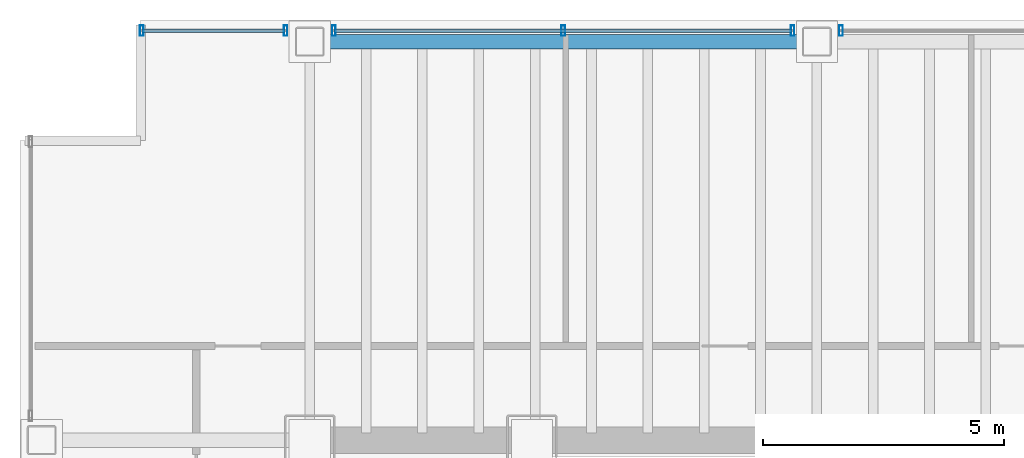
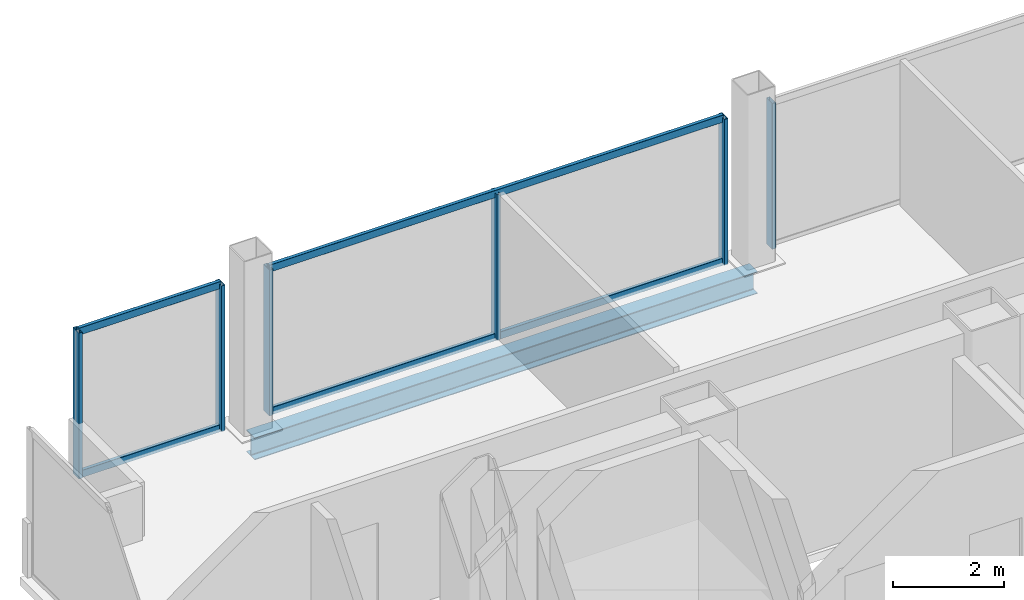
# One storey, part 13 of 20: 10 members, 1 beam, 3 elements without a shape of their own.
"""IFC4 building model written with IfcOpenShell, lengths in metres."""

import ifcopenshell
import ifcopenshell.guid

model = None  # the IFC model being written
_history = None  # IfcOwnerHistory: only IFC2X3 demands one
_inside = {}  # id of a spatial element -> (the spatial element, [elements in it])
_under = {}  # id of a project, library or spatial element -> (it, [spatial elements below it])
_declared = {}  # id of a project -> (the project, [libraries it declares])
_typed = {}  # id of a type object -> (the type object, [elements of that type])
_made_of = {}  # id of a material, layer set ... -> (it, [elements and type objects made of it])


def new_model(schema):
    """Start an empty IFC model of exactly this schema.

    Asked for "IFC4X3", IfcOpenShell would pick the latest addendum, in which some entities
    have other attributes; the version numbers below select the first issue.
    IFC2X3 requires an IfcOwnerHistory on every rooted entity: one is made here for all.
    """
    global model, _history
    if schema == "IFC4X3":
        model = ifcopenshell.file(schema_version=(4, 3, 0, 0))
    else:
        model = ifcopenshell.file(schema=schema)
    _inside.clear()
    _under.clear()
    _declared.clear()
    _typed.clear()
    _made_of.clear()
    _history = None
    if model.schema == "IFC2X3":
        org = make("IfcOrganization", Name="unknown")
        user = make(
            "IfcPersonAndOrganization",
            ThePerson=make("IfcPerson", FamilyName="unknown"),
            TheOrganization=org,
        )
        app = make(
            "IfcApplication",
            ApplicationDeveloper=org,
            Version="unknown",
            ApplicationFullName="unknown",
            ApplicationIdentifier="unknown",
        )
        _history = make(
            "IfcOwnerHistory",
            OwningUser=user,
            OwningApplication=app,
            ChangeAction="ADDED",
            CreationDate=0,
        )
    return model


def make(cls, **values):
    """One entity of the class cls with the attributes given. An attribute that is None is left unset."""
    return model.create_entity(
        cls, **{name: value for name, value in values.items() if value is not None}
    )


def rooted(cls, **values):
    """An entity with a GlobalId (a new one), such as an element, a storey or a relation."""
    return make(cls, GlobalId=ifcopenshell.guid.new(), OwnerHistory=_history, **values)


def si_unit(unit_type, name, prefix=None):
    """IfcSIUnit, for example si_unit("LENGTHUNIT", "METRE", prefix="MILLI")."""
    return make("IfcSIUnit", UnitType=unit_type, Prefix=prefix, Name=name)


def assignment(units):
    """IfcUnitAssignment: the units of a project."""
    return None if units is None else make("IfcUnitAssignment", Units=units)


def point(xyz):
    """IfcCartesianPoint."""
    return None if xyz is None else make("IfcCartesianPoint", Coordinates=xyz)


def direction(xyz):
    """IfcDirection."""
    return None if xyz is None else make("IfcDirection", DirectionRatios=xyz)


def frame(location, z_axis=None, x_axis=None):
    """IfcAxis2Placement3D, a coordinate frame: its origin and axes. An axis left out is left unset."""
    return make(
        "IfcAxis2Placement3D",
        Location=point(location),
        Axis=direction(z_axis),
        RefDirection=direction(x_axis),
    )


def frame_2d(location, x_axis=None):
    """IfcAxis2Placement2D, a coordinate frame in the plane: its origin and x axis."""
    return make(
        "IfcAxis2Placement2D", Location=point(location), RefDirection=direction(x_axis)
    )


def origin():
    """The frame at (0, 0, 0) with its axes left unset."""
    return frame((0.0, 0.0, 0.0))


def origin_2d():
    """The frame at (0, 0) in the plane with its x axis left unset."""
    return frame_2d((0.0, 0.0))


def place(relative_to, where):
    """IfcLocalPlacement: puts the frame where relative to a parent placement (None: the world)."""
    return make(
        "IfcLocalPlacement", PlacementRelTo=relative_to, RelativePlacement=where
    )


def context(
    kind, dimensions, precision=None, world=None, true_north=None, identifier=None
):
    """IfcGeometricRepresentationContext, for example the 3D "Model" context."""
    return make(
        "IfcGeometricRepresentationContext",
        ContextIdentifier=identifier,
        ContextType=kind,
        CoordinateSpaceDimension=dimensions,
        Precision=precision,
        WorldCoordinateSystem=world,
        TrueNorth=true_north,
    )


def subcontext(parent, identifier, kind, view, scale=None):
    """IfcGeometricRepresentationSubContext, for example "Body" below "Model"."""
    return make(
        "IfcGeometricRepresentationSubContext",
        ContextIdentifier=identifier,
        ContextType=kind,
        ParentContext=parent,
        TargetScale=scale,
        TargetView=view,
    )


def project(units=None, contexts=None):
    """IfcProject with its units and contexts."""
    return rooted(
        "IfcProject",
        Name="project",
        RepresentationContexts=contexts,
        UnitsInContext=assignment(units),
    )


def spatial(cls, under=None, at=None, **own):
    """A site, building, storey or space (cls), placed at a placement, below another one or the project."""
    s = rooted(cls, ObjectPlacement=at, **own)
    if under is not None:
        _under.setdefault(under.id(), (under, []))[1].append(s)
    return s


def profile(cls, at=None, kind="AREA", **sizes):
    """A parametric profile (cls). Its sizes go by their IFC names, for example OverallWidth=200.0."""
    return make(cls, ProfileType=kind, Position=at, **sizes)


def hollow_rectangle(**sizes):
    """IfcRectangleHollowProfileDef."""
    return profile("IfcRectangleHollowProfileDef", **sizes)


def i_section(**sizes):
    """IfcIShapeProfileDef."""
    return profile("IfcIShapeProfileDef", **sizes)


def extrude(swept, where, along, depth):
    """IfcExtrudedAreaSolid: the profile swept, set in the frame where, extruded along a direction by depth."""
    return make(
        "IfcExtrudedAreaSolid",
        SweptArea=swept,
        Position=where,
        ExtrudedDirection=direction(along),
        Depth=depth,
    )


def shape(context_of_items, identifier, shape_type, items):
    """IfcShapeRepresentation: the items that make up one representation, for example the "Body"."""
    return make(
        "IfcShapeRepresentation",
        ContextOfItems=context_of_items,
        RepresentationIdentifier=identifier,
        RepresentationType=shape_type,
        Items=items,
    )


def material(Name=None, Category=None):
    """IfcMaterial."""
    return make("IfcMaterial", Name=Name, Category=Category)


def material_profile(
    of_material, cross_section, Name=None, Category=None, Priority=None
):
    """IfcMaterialProfile: a cross section and its material."""
    return make(
        "IfcMaterialProfile",
        Name=Name,
        Material=of_material,
        Profile=cross_section,
        Priority=Priority,
        Category=Category,
    )


def profile_set(profiles, Name=None, composite=None):
    """IfcMaterialProfileSet."""
    return make(
        "IfcMaterialProfileSet",
        Name=Name,
        MaterialProfiles=profiles,
        CompositeProfile=composite,
    )


def made_of(thing, what):
    """Note that an element or type object is made of a material, layer set ...; save() writes the relation."""
    if what is not None:
        _made_of.setdefault(what.id(), (what, []))[1].append(thing)
    return thing


def type_object(cls, material=None, **own):
    """A type object (cls), such as IfcWallType, which elements share."""
    return made_of(rooted(cls, **own), material)


def element(
    cls,
    number,
    at=None,
    inside=None,
    cuts=None,
    type_object=None,
    material=None,
    context=None,
    identifier="Body",
    shape_type=None,
    held_by="IfcProductDefinitionShape",
    body=None,
    shapes=None,
    **own,
):
    """One element of the class cls, such as IfcWall. Its Tag is "e" and its number.

    at: its placement. inside: the storey or other place that contains it. cuts: it is an
    opening in that element (IfcRelVoidsElement). A single representation is given by context,
    identifier, shape_type and body (its items); several are given by shapes. held_by: the class
    of the entity that holds the representations. save() writes the other relations.
    """
    e = rooted(cls, Tag="e%d" % number, ObjectPlacement=at, **own)
    if body is not None:
        shapes = [shape(context, identifier, shape_type, body)]
    if shapes is not None:
        e.Representation = make(held_by, Representations=shapes)
    if inside is not None:
        _inside.setdefault(inside.id(), (inside, []))[1].append(e)
    if cuts is not None:
        rooted(
            "IfcRelVoidsElement", RelatingBuildingElement=cuts, RelatedOpeningElement=e
        )
    if type_object is not None:
        _typed.setdefault(type_object.id(), (type_object, []))[1].append(e)
    return made_of(e, material)


def aggregate(whole, parts):
    """IfcRelAggregates: a whole, such as a stair, and the parts it consists of."""
    return rooted("IfcRelAggregates", RelatingObject=whole, RelatedObjects=parts)


def save(model, path):
    """Write the relations noted so far, then the file.

    IfcRelAggregates (storeys below a building ...), IfcRelContainedInSpatialStructure (elements
    in a storey), IfcRelDefinesByType, IfcRelAssociatesMaterial and IfcRelDeclares: one each for
    every whole, place, type object, material and project.
    """
    for whole, parts in _under.values():
        aggregate(whole, parts)
    for where, things in _inside.values():
        rooted(
            "IfcRelContainedInSpatialStructure",
            RelatedElements=things,
            RelatingStructure=where,
        )
    for kind, things in _typed.values():
        rooted("IfcRelDefinesByType", RelatedObjects=things, RelatingType=kind)
    for what, things in _made_of.values():
        rooted("IfcRelAssociatesMaterial", RelatedObjects=things, RelatingMaterial=what)
    for by, libraries in _declared.values():
        rooted("IfcRelDeclares", RelatingContext=by, RelatedDefinitions=libraries)
    model.write(path)


model = new_model("IFC4")

# Units and contexts
model_context = context("Model", 3, precision=1e-05, world=origin(), true_north=direction((0.0, 1.0)))
body_context = subcontext(model_context, "Body", "Model", "MODEL_VIEW")
ifc_project = project(units=[si_unit("LENGTHUNIT", "METRE"), si_unit("AREAUNIT", "SQUARE_METRE"), si_unit("VOLUMEUNIT", "CUBIC_METRE"), si_unit("PLANEANGLEUNIT", "RADIAN"), si_unit("MASSUNIT", "GRAM", prefix="KILO")], contexts=[model_context])

# Site, building, storey
site_placement = place(None, origin())
site = spatial("IfcSite", under=ifc_project, at=site_placement, CompositionType="ELEMENT")
building_placement = place(site_placement, origin())
building = spatial("IfcBuilding", under=site, at=building_placement, Name="Noeulbin Bourse Tower", CompositionType="ELEMENT")
storey_placement = place(building_placement, frame((0.0, 0.0, 57.699951171875)))
storey = spatial("IfcBuildingStorey", under=building, at=storey_placement, Name="L14", CompositionType="ELEMENT", Elevation=57.699951171875)

# Beam
ifc_material_1 = material(Name="Steel S355", Category="steel")
ifc_material_profile_1 = material_profile(ifc_material_1, i_section(OverallWidth=0.300048828125, OverallDepth=0.488037109375, WebThickness=0.010986328125, FlangeThickness=0.01806640625, FilletRadius=0.02197265625, at=origin_2d()), Name="H-488x300x11x18", Category="LoadBearing")
ifc_profile_set_1 = profile_set([ifc_material_profile_1], Name="Steel S355")
beam_type = type_object("IfcBeamType", Name="BM-SPN-488", PredefinedType="SPANDREL", material=ifc_profile_set_1)
beam_placement = place(storey_placement, frame((13.5, 46.550048828125, -0.424072265625), z_axis=(1.0, 0.0, 0.0), x_axis=(0.0, 1.0, 0.0)))
element("IfcBeam", 1, at=beam_placement, inside=storey, type_object=beam_type, Name="North Spandrel L14-1", PredefinedType="SPANDREL", context=body_context, shape_type="SweptSolid", body=[
    extrude(i_section(OverallWidth=0.300048828125, OverallDepth=0.488037109375, WebThickness=0.010986328125, FlangeThickness=0.01806640625, FilletRadius=0.02197265625, at=origin_2d()), origin(), (0.0, 0.0, 1.0), 10.5),
])

# Curtain wall, members
ifc_material_2 = material(Name="Dark Solar-Control Double Glazing", Category="glass")
curtain_wall_type = type_object("IfcCurtainWallType", Name="CW-SYS-2", PredefinedType="NOTDEFINED", material=ifc_material_2)
curtain_wall_1_placement = place(storey_placement, origin())
curtain_wall_1 = element("IfcCurtainWall", 2, at=curtain_wall_1_placement, inside=storey, type_object=curtain_wall_type, Name="Unitised Curtain Wall CW-L14-N-S1", PredefinedType="NOTDEFINED")
ifc_material_3 = material(Name="Anodised Aluminium 6063-T6", Category="aluminium")
ifc_material_profile_2 = material_profile(ifc_material_3, hollow_rectangle(XDim=0.074951171875, YDim=0.219970703125, WallThickness=0.0048828125, InnerFilletRadius=0.00244140625, OuterFilletRadius=0.0048828125, at=origin_2d()), Name="ALU-MULL-75x220x5", Category="LoadBearing")
ifc_profile_set_2 = profile_set([ifc_material_profile_2], Name="Anodised Aluminium 6063-T6")
member_type_1 = type_object("IfcMemberType", Name="CW-SYS-2-MUL", PredefinedType="MULLION", material=ifc_profile_set_2)
member_1_placement = place(storey_placement, frame((10.02001953125, 46.780029296875, -0.02001953125), z_axis=(0.0, 0.0, 1.0), x_axis=(1.0, 0.0, 0.0)))
member_1 = element("IfcMember", 3, at=member_1_placement, type_object=member_type_1, Name="Curtain Wall Mullion CW-L14-N-S1-M00", PredefinedType="MULLION", context=body_context, shape_type="SweptSolid", body=[
    extrude(hollow_rectangle(XDim=0.074951171875, YDim=0.219970703125, WallThickness=0.0048828125, InnerFilletRadius=0.00244140625, OuterFilletRadius=0.0048828125, at=origin_2d()), origin(), (0.0, 0.0, 1.0), 3.219970703125),
])
member_2_placement = place(storey_placement, frame((13.0, 46.780029296875, -0.02001953125), z_axis=(0.0, 0.0, 1.0), x_axis=(1.0, 0.0, 0.0)))
member_2 = element("IfcMember", 4, at=member_2_placement, type_object=member_type_1, Name="Curtain Wall Mullion CW-L14-N-S1-M01", PredefinedType="MULLION", context=body_context, shape_type="SweptSolid", body=[
    extrude(hollow_rectangle(XDim=0.074951171875, YDim=0.219970703125, WallThickness=0.0048828125, InnerFilletRadius=0.00244140625, OuterFilletRadius=0.0048828125, at=origin_2d()), origin(), (0.0, 0.0, 1.0), 3.219970703125),
])

curtain_wall_2_placement = place(storey_placement, origin())
curtain_wall_2 = element("IfcCurtainWall", 5, at=curtain_wall_2_placement, inside=storey, type_object=curtain_wall_type, Name="Unitised Curtain Wall CW-L14-N-S2", PredefinedType="NOTDEFINED")
member_3_placement = place(storey_placement, frame((14.0, 46.780029296875, -0.02001953125), z_axis=(0.0, 0.0, 1.0), x_axis=(1.0, 0.0, 0.0)))
member_3 = element("IfcMember", 6, at=member_3_placement, type_object=member_type_1, Name="Curtain Wall Mullion CW-L14-N-S2-M00", PredefinedType="MULLION", context=body_context, shape_type="SweptSolid", body=[
    extrude(hollow_rectangle(XDim=0.074951171875, YDim=0.219970703125, WallThickness=0.0048828125, InnerFilletRadius=0.00244140625, OuterFilletRadius=0.0048828125, at=origin_2d()), origin(), (0.0, 0.0, 1.0), 3.219970703125),
])
member_4_placement = place(storey_placement, frame((18.75, 46.780029296875, -0.02001953125), z_axis=(0.0, 0.0, 1.0), x_axis=(1.0, 0.0, 0.0)))
member_4 = element("IfcMember", 7, at=member_4_placement, type_object=member_type_1, Name="Curtain Wall Mullion CW-L14-N-S2-M01", PredefinedType="MULLION", context=body_context, shape_type="SweptSolid", body=[
    extrude(hollow_rectangle(XDim=0.074951171875, YDim=0.219970703125, WallThickness=0.0048828125, InnerFilletRadius=0.00244140625, OuterFilletRadius=0.0048828125, at=origin_2d()), origin(), (0.0, 0.0, 1.0), 3.219970703125),
])
member_5_placement = place(storey_placement, frame((23.5, 46.780029296875, -0.02001953125), z_axis=(0.0, 0.0, 1.0), x_axis=(1.0, 0.0, 0.0)))
member_5 = element("IfcMember", 8, at=member_5_placement, type_object=member_type_1, Name="Curtain Wall Mullion CW-L14-N-S2-M02", PredefinedType="MULLION", context=body_context, shape_type="SweptSolid", body=[
    extrude(hollow_rectangle(XDim=0.074951171875, YDim=0.219970703125, WallThickness=0.0048828125, InnerFilletRadius=0.00244140625, OuterFilletRadius=0.0048828125, at=origin_2d()), origin(), (0.0, 0.0, 1.0), 3.219970703125),
])

# Curtain wall, member
curtain_wall_3_placement = place(storey_placement, origin())
curtain_wall_3 = element("IfcCurtainWall", 9, at=curtain_wall_3_placement, inside=storey, type_object=curtain_wall_type, Name="Unitised Curtain Wall CW-L14-N-S3", PredefinedType="NOTDEFINED")
member_6_placement = place(storey_placement, frame((24.5, 46.780029296875, -0.02001953125), z_axis=(0.0, 0.0, 1.0), x_axis=(1.0, 0.0, 0.0)))
member_6 = element("IfcMember", 10, at=member_6_placement, type_object=member_type_1, Name="Curtain Wall Mullion CW-L14-N-S3-M00", PredefinedType="MULLION", context=body_context, shape_type="SweptSolid", body=[
    extrude(hollow_rectangle(XDim=0.074951171875, YDim=0.219970703125, WallThickness=0.0048828125, InnerFilletRadius=0.00244140625, OuterFilletRadius=0.0048828125, at=origin_2d()), origin(), (0.0, 0.0, 1.0), 3.219970703125),
])
aggregate(curtain_wall_3, [member_6])

# Member
ifc_material_profile_3 = material_profile(ifc_material_3, hollow_rectangle(XDim=0.074951171875, YDim=0.159912109375, WallThickness=0.0048828125, InnerFilletRadius=0.00244140625, OuterFilletRadius=0.0048828125, at=origin_2d()), Name="ALU-TRAN-75x160x5", Category="LoadBearing")
ifc_profile_set_3 = profile_set([ifc_material_profile_3], Name="Anodised Aluminium 6063-T6")
member_type_2 = type_object("IfcMemberType", Name="CW-SYS-2-TRN", PredefinedType="USERDEFINED", material=ifc_profile_set_3)
member_7_placement = place(storey_placement, frame((10.030029296875, 46.780029296875, 0.010009765625), z_axis=(1.0, 0.0, 0.0), x_axis=(0.0, 1.0, 0.0)))
member_7 = element("IfcMember", 11, at=member_7_placement, type_object=member_type_2, Name="Curtain Wall Transom CW-L14-N-S1-T00", ObjectType="TRANSOM", PredefinedType="USERDEFINED", context=body_context, shape_type="SweptSolid", body=[
    extrude(hollow_rectangle(XDim=0.074951171875, YDim=0.159912109375, WallThickness=0.0048828125, InnerFilletRadius=0.00244140625, OuterFilletRadius=0.0048828125, at=origin_2d()), origin(), (0.0, 0.0, 1.0), 2.9599609375),
])

member_8_placement = place(storey_placement, frame((10.030029296875, 46.780029296875, 3.170166015625), z_axis=(1.0, 0.0, 0.0), x_axis=(0.0, 1.0, 0.0)))
member_8 = element("IfcMember", 12, at=member_8_placement, type_object=member_type_2, Name="Curtain Wall Transom CW-L14-N-S1-T01", ObjectType="TRANSOM", PredefinedType="USERDEFINED", context=body_context, shape_type="SweptSolid", body=[
    extrude(hollow_rectangle(XDim=0.074951171875, YDim=0.159912109375, WallThickness=0.0048828125, InnerFilletRadius=0.00244140625, OuterFilletRadius=0.0048828125, at=origin_2d()), origin(), (0.0, 0.0, 1.0), 2.9599609375),
])

aggregate(curtain_wall_1, [member_1, member_2, member_7, member_8])

member_9_placement = place(storey_placement, frame((14.010009765625, 46.780029296875, 0.010009765625), z_axis=(1.0, 0.0, 0.0), x_axis=(0.0, 1.0, 0.0)))
member_9 = element("IfcMember", 13, at=member_9_placement, type_object=member_type_2, Name="Curtain Wall Transom CW-L14-N-S2-T00", ObjectType="TRANSOM", PredefinedType="USERDEFINED", context=body_context, shape_type="SweptSolid", body=[
    extrude(hollow_rectangle(XDim=0.074951171875, YDim=0.159912109375, WallThickness=0.0048828125, InnerFilletRadius=0.00244140625, OuterFilletRadius=0.0048828125, at=origin_2d()), origin(), (0.0, 0.0, 1.0), 9.47998046875),
])

member_10_placement = place(storey_placement, frame((14.010009765625, 46.780029296875, 3.170166015625), z_axis=(1.0, 0.0, 0.0), x_axis=(0.0, 1.0, 0.0)))
member_10 = element("IfcMember", 14, at=member_10_placement, type_object=member_type_2, Name="Curtain Wall Transom CW-L14-N-S2-T01", ObjectType="TRANSOM", PredefinedType="USERDEFINED", context=body_context, shape_type="SweptSolid", body=[
    extrude(hollow_rectangle(XDim=0.074951171875, YDim=0.159912109375, WallThickness=0.0048828125, InnerFilletRadius=0.00244140625, OuterFilletRadius=0.0048828125, at=origin_2d()), origin(), (0.0, 0.0, 1.0), 9.47998046875),
])

aggregate(curtain_wall_2, [member_3, member_4, member_5, member_9, member_10])

save(model, "model.ifc")
